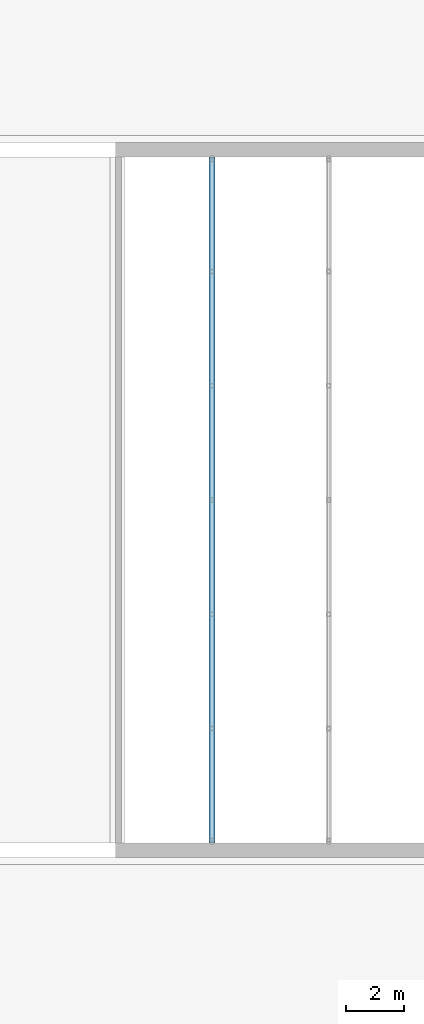
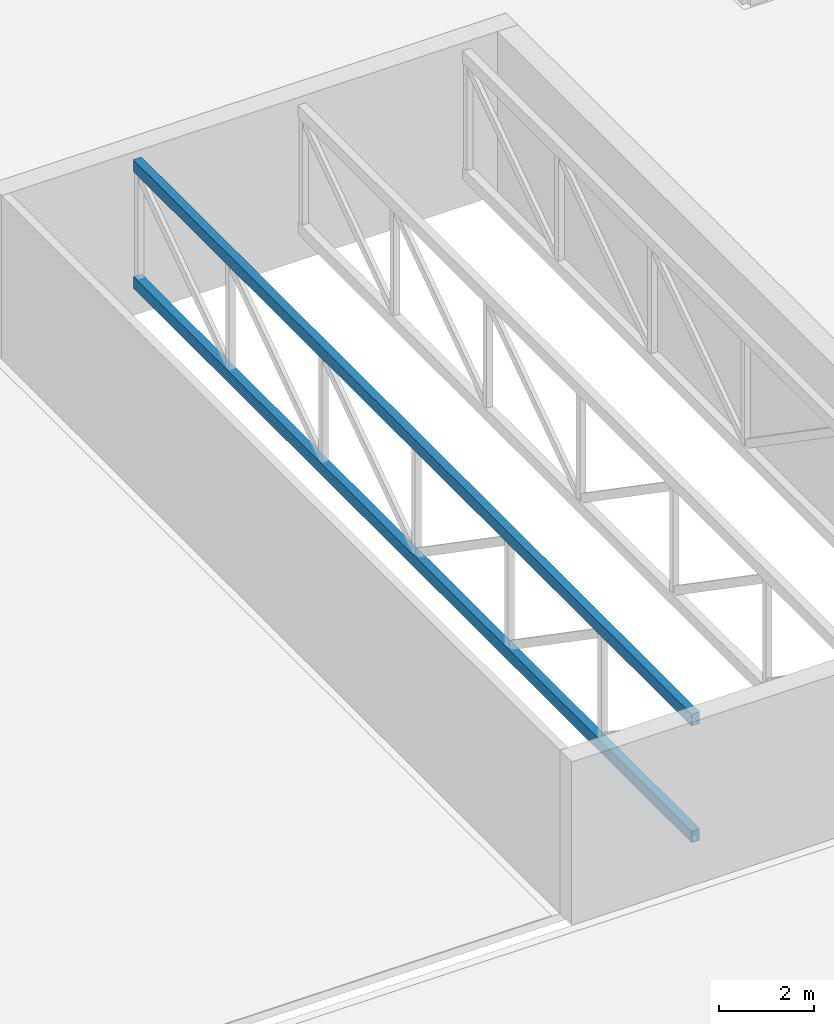
# One storey, part 8 of 33: 2 members.
"""IFC4 building model written with IfcOpenShell, lengths in metres."""

from ifc_helpers import new_model, si_unit, direction, frame, origin, origin_2d, place, context, subcontext, project, spatial, hollow_rectangle, extrude, material, material_profile, profile_set, type_object, element, save


model = new_model("IFC4")

# Units and contexts
model_context = context("Model", 3, precision=1e-05, world=origin(), true_north=direction((0.0, 1.0)))
body_context = subcontext(model_context, "Body", "Model", "MODEL_VIEW")
ifc_project = project(units=[si_unit("LENGTHUNIT", "METRE"), si_unit("AREAUNIT", "SQUARE_METRE"), si_unit("VOLUMEUNIT", "CUBIC_METRE"), si_unit("PLANEANGLEUNIT", "RADIAN"), si_unit("MASSUNIT", "GRAM", prefix="KILO")], contexts=[model_context])

# Site, building, storey
site_placement = place(None, origin())
site = spatial("IfcSite", under=ifc_project, at=site_placement, CompositionType="ELEMENT")
building_placement = place(site_placement, origin())
building = spatial("IfcBuilding", under=site, at=building_placement, Name="Nakaniwa Court", CompositionType="ELEMENT")
storey_placement = place(building_placement, frame((0.0, 0.0, 19.800048828125)))
storey = spatial("IfcBuildingStorey", under=building, at=storey_placement, Name="L04", CompositionType="ELEMENT", Elevation=19.800048828125)

# Members
ifc_material = material(Name="Steel AS/NZS 1163 Grade C350L0", Category="steel")
ifc_material_profile = material_profile(ifc_material, hollow_rectangle(XDim=0.199951171875, YDim=0.300048828125, WallThickness=0.010009765625, at=origin_2d()), Name="RHS 300x200x10")
ifc_profile_set = profile_set([ifc_material_profile], Name="Steel AS/NZS 1163 Grade C350L0")
member_type = type_object("IfcMemberType", Name="Roof truss chord RHS 300x200x10", PredefinedType="CHORD", material=ifc_profile_set)
for number, where, z_axis, x_axis, name in (
    (1, (197.0, 68.25, 3.849853515625), (0.0, 1.0, 0.0), (-1.0, 0.0, 0.0), "Roof truss S1 top chord"),
    (2, (197.0, 68.25, 0.849853515625), (0.0, 1.0, 0.0), (-1.0, 0.0, 0.0), "Roof truss S1 bottom chord"),
):
    element("IfcMember", number, at=place(storey_placement, frame(where, z_axis=z_axis, x_axis=x_axis)), inside=storey, type_object=member_type, Name=name, PredefinedType="CHORD", context=body_context, shape_type="SweptSolid", body=[
        extrude(hollow_rectangle(XDim=0.199951171875, YDim=0.300048828125, WallThickness=0.010009765625, at=origin_2d()), origin(), (0.0, 0.0, 1.0), 23.5),
    ])

save(model, "model.ifc")
